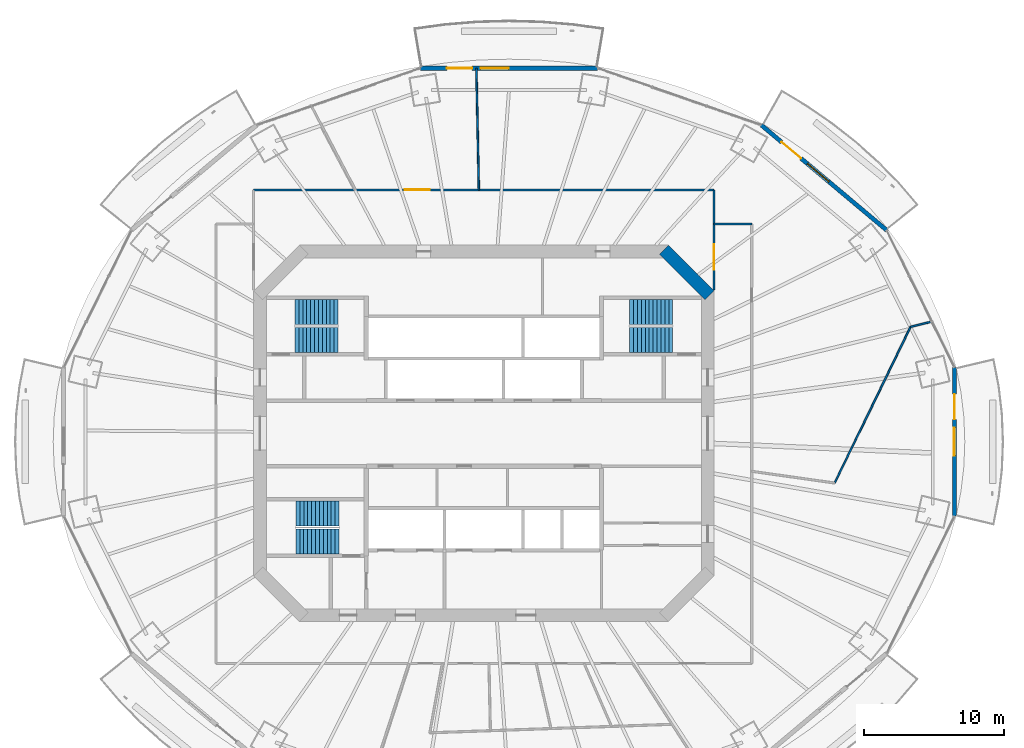
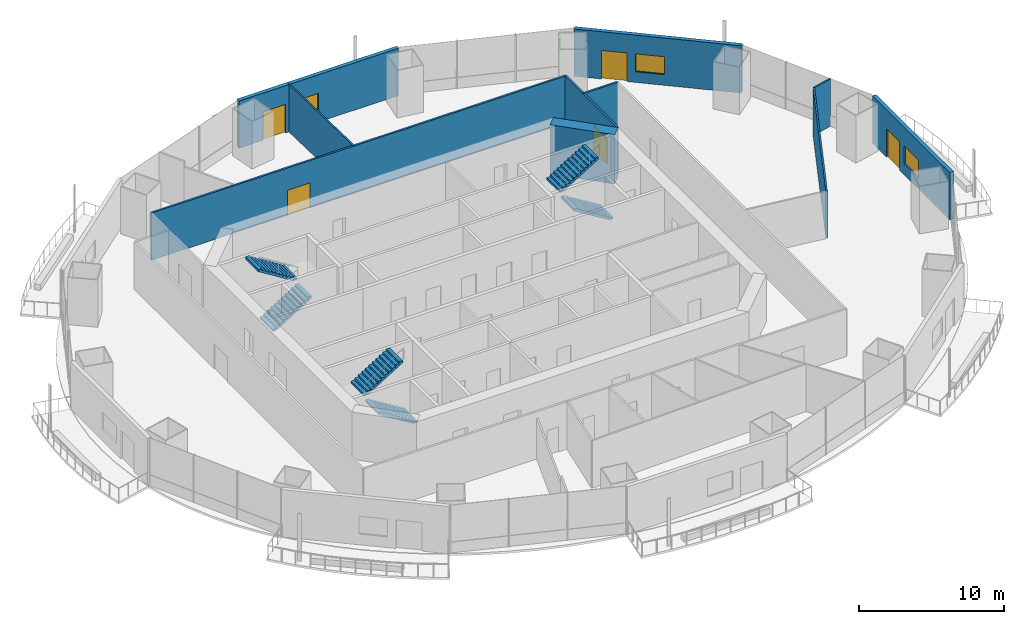
# One storey, part 14 of 20: 10 walls, 6 stair flights, 5 doors, 3 windows, 8 openings, 3 elements without a shape of their own.
"""IFC4 building model written with IfcOpenShell, lengths in metres."""

from ifc_helpers import new_model, si_unit, direction, frame, frame_2d, origin, place, context, subcontext, project, spatial, polyline, rectangle, outline, extrude, material, layer, layer_set, type_object, element, fill, aggregate, save


model = new_model("IFC4")

# Units and contexts
model_context = context("Model", 3, precision=1e-05, world=origin(), true_north=direction((0.0, 1.0)))
body_context = subcontext(model_context, "Body", "Model", "MODEL_VIEW")
ifc_project = project(units=[si_unit("LENGTHUNIT", "METRE"), si_unit("AREAUNIT", "SQUARE_METRE"), si_unit("VOLUMEUNIT", "CUBIC_METRE"), si_unit("PLANEANGLEUNIT", "RADIAN"), si_unit("MASSUNIT", "GRAM", prefix="KILO")], contexts=[model_context])

# Site, building, storey
site_placement = place(None, origin())
site = spatial("IfcSite", under=ifc_project, at=site_placement, CompositionType="ELEMENT")
building_placement = place(site_placement, origin())
building = spatial("IfcBuilding", under=site, at=building_placement, Name="Marenthal Gate Tower", CompositionType="ELEMENT")
storey_placement = place(building_placement, frame((0.0, 0.0, 181.800048828125)))
storey = spatial("IfcBuildingStorey", under=building, at=storey_placement, Name="L39", CompositionType="ELEMENT", Elevation=181.800048828125)

# Walls
ifc_material_1 = material(Name="Concrete 60 MPa", Category="concrete")
ifc_layer_1 = layer(ifc_material_1, 0.89990234375)
ifc_layer_set_1 = layer_set([ifc_layer_1], Name="Core shear wall 900")
wall_type_1 = type_object("IfcWallType", Name="Core shear wall 900", PredefinedType="SHEAR", material=ifc_layer_set_1)
wall_1_placement = place(storey_placement, frame((16.1318359375, 9.8681640625, -0.179931640625), z_axis=(0.0, 0.0, 1.0), x_axis=(-0.707106781187, 0.707106781187, 0.0)))
element("IfcWall", 1, at=wall_1_placement, inside=storey, type_object=wall_type_1, Name="Core wall 03", PredefinedType="SHEAR", context=body_context, shape_type="SweptSolid", body=[
    extrude(rectangle(XDim=4.615478515625, YDim=0.89990234375, at=frame_2d((2.3076171875, 0.0))), origin(), (0.0, 0.0, 1.0), 4.14990234375),
])
ifc_material_2 = material(Name="Gypsum board on steel studs", Category="steel")
ifc_layer_2 = layer(ifc_material_2, 0.1201171875)
ifc_layer_set_2 = layer_set([ifc_layer_2], Name="Partition 120")
wall_type_2 = type_object("IfcWallType", Name="Partition 120", PredefinedType="PARTITIONING", material=ifc_layer_set_2)
wall_2_placement = place(storey_placement, frame((-0.354736328125, 17.408935546875, 0.0), z_axis=(0.0, 0.0, 1.0), x_axis=(-0.020383295859, 0.999792239043, 0.0)))
element("IfcWall", 2, at=wall_2_placement, inside=storey, type_object=wall_type_2, Name="Partition wall 58", PredefinedType="PARTITIONING", context=body_context, shape_type="SweptSolid", body=[
    extrude(rectangle(XDim=8.695556640625, YDim=0.1201171875, at=frame_2d((4.34765625, 0.0))), origin(), (0.0, 0.0, 1.0), 3.969970703125),
])
wall_3_placement = place(storey_placement, frame((25.072998046875, -3.546630859375, 0.0), z_axis=(0.0, 0.0, 1.0), x_axis=(0.437335020704, 0.899298659882, 0.0)))
element("IfcWall", 3, at=wall_3_placement, inside=storey, type_object=wall_type_2, Name="Partition wall 67", PredefinedType="PARTITIONING", context=body_context, shape_type="SweptSolid", body=[
    extrude(rectangle(XDim=12.410888671875, YDim=0.1201171875, at=frame_2d((6.20556640625, 0.0))), origin(), (0.0, 0.0, 1.0), 3.969970703125),
])
wall_4_placement = place(storey_placement, frame((30.500732421875, 7.614501953125, 0.0), z_axis=(0.0, 0.0, 1.0), x_axis=(0.970252935934, 0.242093453672, 0.0)))
element("IfcWall", 4, at=wall_4_placement, inside=storey, type_object=wall_type_2, Name="Partition wall 69", PredefinedType="PARTITIONING", context=body_context, shape_type="SweptSolid", body=[
    extrude(rectangle(XDim=1.55908203125, YDim=0.1201171875, at=frame_2d((0.779541015625, 0.0))), origin(), (0.0, 0.0, 1.0), 3.969970703125),
])

# Wall, opening, door
ifc_material_3 = material(Name="Gypsum board on steel studs", Category="steel")
ifc_layer_3 = layer(ifc_material_3, 0.14990234375)
ifc_layer_set_3 = layer_set([ifc_layer_3], Name="Partition 150")
wall_type_3 = type_object("IfcWallType", Name="Partition 150", PredefinedType="PARTITIONING", material=ifc_layer_set_3)
wall_5_placement = place(storey_placement, frame((-16.449951171875, 17.408935546875, 0.0), z_axis=(0.0, 0.0, 1.0), x_axis=(1.0, 0.0, 0.0)))
wall_5 = element("IfcWall", 5, at=wall_5_placement, inside=storey, type_object=wall_type_3, Name="Partition wall 53", PredefinedType="PARTITIONING", context=body_context, shape_type="SweptSolid", body=[
    extrude(rectangle(XDim=32.89990234375, YDim=0.14990234375, at=frame_2d((16.449951171875, 0.0))), origin(), (0.0, 0.0, 1.0), 3.969970703125),
])
opening_1_placement = place(wall_5_placement, frame((10.7880859375, 0.0, 0.0)))
opening_1 = element("IfcOpeningElement", 6, at=opening_1_placement, cuts=wall_5, Name="Opening D014.01", PredefinedType="OPENING", context=body_context, shape_type="SweptSolid", body=[
    extrude(rectangle(XDim=1.800048828125, YDim=2.10009765625, at=frame_2d((0.89990234375, 1.050048828125))), frame((0.0, 0.0849609375, 0.0), z_axis=(0.0, -1.0, 0.0), x_axis=(1.0, 0.0, 0.0)), (0.0, 0.0, 1.0), 0.169921875),
])
ifc_material_4 = material(Name="Timber door", Category="wood")
door_type_1 = type_object("IfcDoorType", Name="Double door 1800 x 2100", OperationType="DOUBLE_DOOR_SINGLE_SWING", PredefinedType="DOOR", material=ifc_material_4)
door_1_placement = place(opening_1_placement, origin())
door_1 = element("IfcDoor", 7, at=door_1_placement, inside=storey, type_object=door_type_1, Name="Door D014.01", OperationType="DOUBLE_DOOR_SINGLE_SWING", OverallHeight=2.10009765625, OverallWidth=1.800048828125, PredefinedType="DOOR", context=body_context, shape_type="SweptSolid", body=[
    extrude(rectangle(XDim=1.800048828125, YDim=2.10009765625, at=frame_2d((0.89990234375, 1.050048828125))), frame((0.0, 0.02490234375, 0.0), z_axis=(0.0, -1.0, 0.0), x_axis=(1.0, 0.0, 0.0)), (0.0, 0.0, 1.0), 0.050048828125),
])
fill(opening_1, door_1)

wall_6_placement = place(storey_placement, frame((16.449951171875, 10.25, 0.0), z_axis=(0.0, 0.0, 1.0), x_axis=(0.0, 1.0, 0.0)))
wall_6 = element("IfcWall", 8, at=wall_6_placement, inside=storey, type_object=wall_type_3, Name="Partition wall 63", PredefinedType="PARTITIONING", context=body_context, shape_type="SweptSolid", body=[
    extrude(rectangle(XDim=7.158935546875, YDim=0.14990234375, at=frame_2d((3.57958984375, 0.0))), origin(), (0.0, 0.0, 1.0), 3.969970703125),
])
opening_2_placement = place(wall_6_placement, frame((1.451904296875, 0.0, 0.0)))
opening_2 = element("IfcOpeningElement", 9, at=opening_2_placement, cuts=wall_6, Name="Opening D014.05", PredefinedType="OPENING", context=body_context, shape_type="SweptSolid", body=[
    extrude(rectangle(XDim=1.800048828125, YDim=2.10009765625, at=frame_2d((0.89990234375, 1.050048828125))), frame((0.0, 0.0849609375, 0.0), z_axis=(0.0, -1.0, 0.0), x_axis=(1.0, 0.0, 0.0)), (0.0, 0.0, 1.0), 0.169921875),
])
door_2_placement = place(opening_2_placement, origin())
door_2 = element("IfcDoor", 10, at=door_2_placement, inside=storey, type_object=door_type_1, Name="Door D014.05", OperationType="DOUBLE_DOOR_SINGLE_SWING", OverallHeight=2.10009765625, OverallWidth=1.800048828125, PredefinedType="DOOR", context=body_context, shape_type="SweptSolid", body=[
    extrude(rectangle(XDim=1.800048828125, YDim=2.10009765625, at=frame_2d((0.89990234375, 1.050048828125))), frame((0.0, 0.02490234375, 0.0), z_axis=(0.0, -1.0, 0.0), x_axis=(1.0, 0.0, 0.0)), (0.0, 0.0, 1.0), 0.050048828125),
])
fill(opening_2, door_2)

# Wall
wall_7_placement = place(storey_placement, frame((16.449951171875, 14.954833984375, 0.0), z_axis=(0.0, 0.0, 1.0), x_axis=(1.0, 0.0, 0.0)))
element("IfcWall", 11, at=wall_7_placement, inside=storey, type_object=wall_type_3, Name="Partition wall 64", PredefinedType="PARTITIONING", context=body_context, shape_type="SweptSolid", body=[
    extrude(rectangle(XDim=2.699951171875, YDim=0.14990234375, at=frame_2d((1.35009765625, 0.0))), origin(), (0.0, 0.0, 1.0), 3.969970703125),
])

# Wall, openings, door, window
ifc_material_5 = material(Name="Terracotta cladding on insulated concrete-block backing", Category="masonry")
ifc_layer_4 = layer(ifc_material_5, 0.300048828125)
ifc_layer_set_4 = layer_set([ifc_layer_4], Name="Terracotta facade wall 300")
wall_type_4 = type_object("IfcWallType", Name="Terracotta facade wall 300", PredefinedType="SOLIDWALL", material=ifc_layer_set_4)
wall_8_placement = place(storey_placement, frame((28.787109375, 14.52587890625, 0.0), z_axis=(0.0, 0.0, 1.0), x_axis=(-0.766149077679, 0.642662890458, 0.0)))
wall_8 = element("IfcWall", 12, at=wall_8_placement, inside=storey, type_object=wall_type_4, Name="Terracotta facade wall L39 bay 2", PredefinedType="SOLIDWALL", context=body_context, shape_type="SweptSolid", body=[
    extrude(rectangle(XDim=11.6884765625, YDim=0.300048828125, at=frame_2d((5.84423828125, 0.0))), origin(), (0.0, 0.0, 1.0), 3.969970703125),
])
opening_3_placement = place(wall_8_placement, frame((7.98828125, 0.0, 0.0)))
opening_3 = element("IfcOpeningElement", 13, at=opening_3_placement, cuts=wall_8, Name="Opening BD-L39-02", PredefinedType="OPENING", context=body_context, shape_type="SweptSolid", body=[
    extrude(rectangle(XDim=1.800048828125, YDim=2.39990234375, at=frame_2d((0.89990234375, 1.199951171875))), frame((0.0, 0.16015625, 0.0), z_axis=(0.0, -1.0, 0.0), x_axis=(1.0, 0.0, 0.0)), (0.0, 0.0, 1.0), 0.320068359375),
])
opening_4_placement = place(wall_8_placement, frame((5.38818359375, 0.0, 0.89990234375)))
opening_4 = element("IfcOpeningElement", 14, at=opening_4_placement, cuts=wall_8, Name="Opening WN2-L39-02", PredefinedType="OPENING", context=body_context, shape_type="SweptSolid", body=[
    extrude(rectangle(XDim=2.0, YDim=1.5, at=frame_2d((1.0, 0.75))), frame((0.0, 0.16015625, 0.0), z_axis=(0.0, -1.0, 0.0), x_axis=(1.0, 0.0, 0.0)), (0.0, 0.0, 1.0), 0.320068359375),
])
ifc_material_6 = material(Name="Aluminium and glass", Category="aluminium")
door_type_2 = type_object("IfcDoorType", Name="Balcony door 1800x2400", OperationType="DOUBLE_DOOR_SINGLE_SWING", PredefinedType="DOOR", material=ifc_material_6)
door_3_placement = place(opening_3_placement, origin())
door_3 = element("IfcDoor", 15, at=door_3_placement, inside=storey, type_object=door_type_2, Name="Balcony door L39 bay 2", OperationType="SINGLE_SWING_LEFT", OverallHeight=2.39990234375, OverallWidth=1.800048828125, PredefinedType="DOOR", context=body_context, shape_type="SweptSolid", body=[
    extrude(rectangle(XDim=1.800048828125, YDim=2.39990234375, at=frame_2d((0.89990234375, 1.199951171875))), frame((0.0, 0.02490234375, 0.0), z_axis=(0.0, -1.0, 0.0), x_axis=(1.0, 0.0, 0.0)), (0.0, 0.0, 1.0), 0.050048828125),
])
fill(opening_3, door_3)
ifc_material_7 = material(Name="Aluminium and glass", Category="aluminium")
window_type = type_object("IfcWindowType", Name="Window 2000x1500", PartitioningType="DOUBLE_PANEL_VERTICAL", PredefinedType="WINDOW", material=ifc_material_7)
window_1_placement = place(opening_4_placement, origin())
window_1 = element("IfcWindow", 16, at=window_1_placement, inside=storey, type_object=window_type, Name="Window L39 bay 2", OverallHeight=1.5, OverallWidth=2.0, PartitioningType="SINGLE_PANEL", PredefinedType="WINDOW", context=body_context, shape_type="SweptSolid", body=[
    extrude(rectangle(XDim=2.0, YDim=1.5, at=frame_2d((1.0, 0.75))), frame((0.0, 0.030029296875, 0.0), z_axis=(0.0, -1.0, 0.0), x_axis=(1.0, 0.0, 0.0)), (0.0, 0.0, 1.0), 0.06005859375),
])
fill(opening_4, window_1)

wall_9_placement = place(storey_placement, frame((8.132080078125, 26.102783203125, 0.0), z_axis=(0.0, 0.0, 1.0), x_axis=(-1.0, 0.0, 0.0)))
wall_9 = element("IfcWall", 17, at=wall_9_placement, inside=storey, type_object=wall_type_4, Name="Terracotta facade wall L39 bay 4", PredefinedType="SOLIDWALL", context=body_context, shape_type="SweptSolid", body=[
    extrude(rectangle(XDim=12.6640625, YDim=0.300048828125, at=frame_2d((6.33203125, 0.0))), origin(), (0.0, 0.0, 1.0), 3.969970703125),
])
opening_5_placement = place(wall_9_placement, frame((8.964111328125, 0.0, 0.0)))
opening_5 = element("IfcOpeningElement", 18, at=opening_5_placement, cuts=wall_9, Name="Opening BD-L39-04", PredefinedType="OPENING", context=body_context, shape_type="SweptSolid", body=[
    extrude(rectangle(XDim=1.800048828125, YDim=2.39990234375, at=frame_2d((0.89990234375, 1.199951171875))), frame((0.0, 0.16015625, 0.0), z_axis=(0.0, -1.0, 0.0), x_axis=(1.0, 0.0, 0.0)), (0.0, 0.0, 1.0), 0.320068359375),
])
opening_6_placement = place(wall_9_placement, frame((6.364013671875, 0.0, 0.89990234375)))
opening_6 = element("IfcOpeningElement", 19, at=opening_6_placement, cuts=wall_9, Name="Opening WN2-L39-04", PredefinedType="OPENING", context=body_context, shape_type="SweptSolid", body=[
    extrude(rectangle(XDim=2.0, YDim=1.5, at=frame_2d((1.0, 0.75))), frame((0.0, 0.16015625, 0.0), z_axis=(0.0, -1.0, 0.0), x_axis=(1.0, 0.0, 0.0)), (0.0, 0.0, 1.0), 0.320068359375),
])
door_4_placement = place(opening_5_placement, origin())
door_4 = element("IfcDoor", 20, at=door_4_placement, inside=storey, type_object=door_type_2, Name="Balcony door L39 bay 4", OperationType="SINGLE_SWING_LEFT", OverallHeight=2.39990234375, OverallWidth=1.800048828125, PredefinedType="DOOR", context=body_context, shape_type="SweptSolid", body=[
    extrude(rectangle(XDim=1.800048828125, YDim=2.39990234375, at=frame_2d((0.89990234375, 1.199951171875))), frame((0.0, 0.02490234375, 0.0), z_axis=(0.0, -1.0, 0.0), x_axis=(1.0, 0.0, 0.0)), (0.0, 0.0, 1.0), 0.050048828125),
])
fill(opening_5, door_4)
window_2_placement = place(opening_6_placement, origin())
window_2 = element("IfcWindow", 21, at=window_2_placement, inside=storey, type_object=window_type, Name="Window L39 bay 4", OverallHeight=1.5, OverallWidth=2.0, PartitioningType="SINGLE_PANEL", PredefinedType="WINDOW", context=body_context, shape_type="SweptSolid", body=[
    extrude(rectangle(XDim=2.0, YDim=1.5, at=frame_2d((1.0, 0.75))), frame((0.0, 0.030029296875, 0.0), z_axis=(0.0, -1.0, 0.0), x_axis=(1.0, 0.0, 0.0)), (0.0, 0.0, 1.0), 0.06005859375),
])
fill(opening_6, window_2)

wall_10_placement = place(storey_placement, frame((33.63330078125, -5.91162109375, 0.0), z_axis=(0.0, 0.0, 1.0), x_axis=(0.0, 1.0, 0.0)))
wall_10 = element("IfcWall", 22, at=wall_10_placement, inside=storey, type_object=wall_type_4, Name="Terracotta facade wall L39 bay 16", PredefinedType="SOLIDWALL", context=body_context, shape_type="SweptSolid", body=[
    extrude(rectangle(XDim=10.623046875, YDim=0.300048828125, at=frame_2d((5.3115234375, 0.0))), origin(), (0.0, 0.0, 1.0), 3.969970703125),
])
opening_7_placement = place(wall_10_placement, frame((6.923095703125, 0.0, 0.0)))
opening_7 = element("IfcOpeningElement", 23, at=opening_7_placement, cuts=wall_10, Name="Opening BD-L39-16", PredefinedType="OPENING", context=body_context, shape_type="SweptSolid", body=[
    extrude(rectangle(XDim=1.800048828125, YDim=2.39990234375, at=frame_2d((0.89990234375, 1.199951171875))), frame((0.0, 0.16015625, 0.0), z_axis=(0.0, -1.0, 0.0), x_axis=(1.0, 0.0, 0.0)), (0.0, 0.0, 1.0), 0.320068359375),
])
opening_8_placement = place(wall_10_placement, frame((4.322998046875, 0.0, 0.89990234375)))
opening_8 = element("IfcOpeningElement", 24, at=opening_8_placement, cuts=wall_10, Name="Opening WN2-L39-16", PredefinedType="OPENING", context=body_context, shape_type="SweptSolid", body=[
    extrude(rectangle(XDim=2.0, YDim=1.5, at=frame_2d((1.0, 0.75))), frame((0.0, 0.16015625, 0.0), z_axis=(0.0, -1.0, 0.0), x_axis=(1.0, 0.0, 0.0)), (0.0, 0.0, 1.0), 0.320068359375),
])
door_5_placement = place(opening_7_placement, origin())
door_5 = element("IfcDoor", 25, at=door_5_placement, inside=storey, type_object=door_type_2, Name="Balcony door L39 bay 16", OperationType="SINGLE_SWING_LEFT", OverallHeight=2.39990234375, OverallWidth=1.800048828125, PredefinedType="DOOR", context=body_context, shape_type="SweptSolid", body=[
    extrude(rectangle(XDim=1.800048828125, YDim=2.39990234375, at=frame_2d((0.89990234375, 1.199951171875))), frame((0.0, 0.02490234375, 0.0), z_axis=(0.0, -1.0, 0.0), x_axis=(1.0, 0.0, 0.0)), (0.0, 0.0, 1.0), 0.050048828125),
])
fill(opening_7, door_5)
window_3_placement = place(opening_8_placement, origin())
window_3 = element("IfcWindow", 26, at=window_3_placement, inside=storey, type_object=window_type, Name="Window L39 bay 16", OverallHeight=1.5, OverallWidth=2.0, PartitioningType="SINGLE_PANEL", PredefinedType="WINDOW", context=body_context, shape_type="SweptSolid", body=[
    extrude(rectangle(XDim=2.0, YDim=1.5, at=frame_2d((1.0, 0.75))), frame((0.0, 0.030029296875, 0.0), z_axis=(0.0, -1.0, 0.0), x_axis=(1.0, 0.0, 0.0)), (0.0, 0.0, 1.0), 0.06005859375),
])
fill(opening_8, window_3)

# Stair, stair flights
ifc_material_8 = material(Name="Concrete 40 MPa", Category="concrete")
stair_type = type_object("IfcStairType", Name="Exit stair 1800", PredefinedType="HALF_TURN_STAIR", material=ifc_material_8)
stair_1_placement = place(storey_placement, origin())
stair_1 = element("IfcStair", 27, at=stair_1_placement, inside=storey, type_object=stair_type, Name="Stair ST1", PredefinedType="HALF_TURN_STAIR")
ifc_material_9 = material(Name="Concrete 40 MPa", Category="concrete")
stair_flight_type = type_object("IfcStairFlightType", Name="Stair flight 1800", PredefinedType="STRAIGHT", material=ifc_material_9)
stair_flight_1_placement = place(storey_placement, frame((-13.5, 6.675048828125, 0.0), z_axis=(0.0, 0.0, 1.0), x_axis=(1.0, 0.0, 0.0)))
stair_flight_1 = element("IfcStairFlight", 28, at=stair_flight_1_placement, type_object=stair_flight_type, Name="ST1 flight 1", NumberOfRisers=12, NumberOfTreads=11, PredefinedType="STRAIGHT", RiserHeight=0.172916667, TreadLength=0.28, context=body_context, shape_type="SweptSolid", body=[
    extrude(outline(polyline([(0.0, 0.0), (0.0, 0.1728515625), (0.280029296875, 0.1728515625), (0.280029296875, 0.345947265625), (0.56005859375, 0.345947265625), (0.56005859375, 0.518798828125), (0.840087890625, 0.518798828125), (0.840087890625, 0.691650390625), (1.1201171875, 0.691650390625), (1.1201171875, 0.864501953125), (1.39990234375, 0.864501953125), (1.39990234375, 1.03759765625), (1.679931640625, 1.03759765625), (1.679931640625, 1.21044921875), (1.9599609375, 1.21044921875), (1.9599609375, 1.38330078125), (2.239990234375, 1.38330078125), (2.239990234375, 1.55615234375), (2.52001953125, 1.55615234375), (2.52001953125, 1.729248046875), (2.800048828125, 1.729248046875), (2.800048828125, 1.902099609375), (3.080078125, 1.902099609375), (3.080078125, 2.074951171875), (3.080078125, 1.725830078125), (0.285400390625, 0.0), (0.0, 0.0)])), frame((0.0, 0.89990234375, 0.0), z_axis=(0.0, -1.0, 0.0), x_axis=(1.0, 0.0, 0.0)), (0.0, 0.0, 1.0), 1.800048828125),
])
stair_flight_2_placement = place(storey_placement, frame((-10.419921875, 8.675048828125, 2.074951171875), z_axis=(0.0, 0.0, 1.0), x_axis=(-1.0, 0.0, 0.0)))
stair_flight_2 = element("IfcStairFlight", 29, at=stair_flight_2_placement, type_object=stair_flight_type, Name="ST1 flight 2", NumberOfRisers=12, NumberOfTreads=11, PredefinedType="STRAIGHT", RiserHeight=0.172916667, TreadLength=0.28, context=body_context, shape_type="SweptSolid", body=[
    extrude(outline(polyline([(0.0, 0.0), (0.0, 0.1728515625), (0.280029296875, 0.1728515625), (0.280029296875, 0.345947265625), (0.56005859375, 0.345947265625), (0.56005859375, 0.518798828125), (0.840087890625, 0.518798828125), (0.840087890625, 0.691650390625), (1.1201171875, 0.691650390625), (1.1201171875, 0.864501953125), (1.39990234375, 0.864501953125), (1.39990234375, 1.03759765625), (1.679931640625, 1.03759765625), (1.679931640625, 1.21044921875), (1.9599609375, 1.21044921875), (1.9599609375, 1.38330078125), (2.239990234375, 1.38330078125), (2.239990234375, 1.55615234375), (2.52001953125, 1.55615234375), (2.52001953125, 1.729248046875), (2.800048828125, 1.729248046875), (2.800048828125, 1.902099609375), (3.080078125, 1.902099609375), (3.080078125, 2.074951171875), (3.080078125, 1.725830078125), (0.285400390625, 0.0), (0.0, 0.0)])), frame((0.0, 0.89990234375, 0.0), z_axis=(0.0, -1.0, 0.0), x_axis=(1.0, 0.0, 0.0)), (0.0, 0.0, 1.0), 1.800048828125),
])
aggregate(stair_1, [stair_flight_1, stair_flight_2])

stair_2_placement = place(storey_placement, origin())
stair_2 = element("IfcStair", 30, at=stair_2_placement, inside=storey, type_object=stair_type, Name="Stair ST2", PredefinedType="HALF_TURN_STAIR")
stair_flight_3_placement = place(storey_placement, frame((-10.35009765625, -7.72509765625, 0.0), z_axis=(0.0, 0.0, 1.0), x_axis=(-1.0, 0.0, 0.0)))
stair_flight_3 = element("IfcStairFlight", 31, at=stair_flight_3_placement, type_object=stair_flight_type, Name="ST2 flight 1", NumberOfRisers=12, NumberOfTreads=11, PredefinedType="STRAIGHT", RiserHeight=0.172916667, TreadLength=0.28, context=body_context, shape_type="SweptSolid", body=[
    extrude(outline(polyline([(0.0, 0.0), (0.0, 0.1728515625), (0.280029296875, 0.1728515625), (0.280029296875, 0.345947265625), (0.56005859375, 0.345947265625), (0.56005859375, 0.518798828125), (0.840087890625, 0.518798828125), (0.840087890625, 0.691650390625), (1.1201171875, 0.691650390625), (1.1201171875, 0.864501953125), (1.39990234375, 0.864501953125), (1.39990234375, 1.03759765625), (1.679931640625, 1.03759765625), (1.679931640625, 1.21044921875), (1.9599609375, 1.21044921875), (1.9599609375, 1.38330078125), (2.239990234375, 1.38330078125), (2.239990234375, 1.55615234375), (2.52001953125, 1.55615234375), (2.52001953125, 1.729248046875), (2.800048828125, 1.729248046875), (2.800048828125, 1.902099609375), (3.080078125, 1.902099609375), (3.080078125, 2.074951171875), (3.080078125, 1.725830078125), (0.285400390625, 0.0), (0.0, 0.0)])), frame((0.0, 0.89990234375, 0.0), z_axis=(0.0, -1.0, 0.0), x_axis=(1.0, 0.0, 0.0)), (0.0, 0.0, 1.0), 1.800048828125),
])
stair_flight_4_placement = place(storey_placement, frame((-13.429931640625, -5.72509765625, 2.074951171875), z_axis=(0.0, 0.0, 1.0), x_axis=(1.0, 0.0, 0.0)))
stair_flight_4 = element("IfcStairFlight", 32, at=stair_flight_4_placement, type_object=stair_flight_type, Name="ST2 flight 2", NumberOfRisers=12, NumberOfTreads=11, PredefinedType="STRAIGHT", RiserHeight=0.172916667, TreadLength=0.28, context=body_context, shape_type="SweptSolid", body=[
    extrude(outline(polyline([(0.0, 0.0), (0.0, 0.1728515625), (0.280029296875, 0.1728515625), (0.280029296875, 0.345947265625), (0.56005859375, 0.345947265625), (0.56005859375, 0.518798828125), (0.840087890625, 0.518798828125), (0.840087890625, 0.691650390625), (1.1201171875, 0.691650390625), (1.1201171875, 0.864501953125), (1.39990234375, 0.864501953125), (1.39990234375, 1.03759765625), (1.679931640625, 1.03759765625), (1.679931640625, 1.21044921875), (1.9599609375, 1.21044921875), (1.9599609375, 1.38330078125), (2.239990234375, 1.38330078125), (2.239990234375, 1.55615234375), (2.52001953125, 1.55615234375), (2.52001953125, 1.729248046875), (2.800048828125, 1.729248046875), (2.800048828125, 1.902099609375), (3.080078125, 1.902099609375), (3.080078125, 2.074951171875), (3.080078125, 1.725830078125), (0.285400390625, 0.0), (0.0, 0.0)])), frame((0.0, 0.89990234375, 0.0), z_axis=(0.0, -1.0, 0.0), x_axis=(1.0, 0.0, 0.0)), (0.0, 0.0, 1.0), 1.800048828125),
])
aggregate(stair_2, [stair_flight_3, stair_flight_4])

stair_3_placement = place(storey_placement, origin())
stair_3 = element("IfcStair", 33, at=stair_3_placement, inside=storey, type_object=stair_type, Name="Stair ST3", PredefinedType="HALF_TURN_STAIR")
stair_flight_5_placement = place(storey_placement, frame((13.5, 6.675048828125, 0.0), z_axis=(0.0, 0.0, 1.0), x_axis=(-1.0, 0.0, 0.0)))
stair_flight_5 = element("IfcStairFlight", 34, at=stair_flight_5_placement, type_object=stair_flight_type, Name="ST3 flight 1", NumberOfRisers=12, NumberOfTreads=11, PredefinedType="STRAIGHT", RiserHeight=0.172916667, TreadLength=0.28, context=body_context, shape_type="SweptSolid", body=[
    extrude(outline(polyline([(0.0, 0.0), (0.0, 0.1728515625), (0.280029296875, 0.1728515625), (0.280029296875, 0.345947265625), (0.56005859375, 0.345947265625), (0.56005859375, 0.518798828125), (0.840087890625, 0.518798828125), (0.840087890625, 0.691650390625), (1.1201171875, 0.691650390625), (1.1201171875, 0.864501953125), (1.39990234375, 0.864501953125), (1.39990234375, 1.03759765625), (1.679931640625, 1.03759765625), (1.679931640625, 1.21044921875), (1.9599609375, 1.21044921875), (1.9599609375, 1.38330078125), (2.239990234375, 1.38330078125), (2.239990234375, 1.55615234375), (2.52001953125, 1.55615234375), (2.52001953125, 1.729248046875), (2.800048828125, 1.729248046875), (2.800048828125, 1.902099609375), (3.080078125, 1.902099609375), (3.080078125, 2.074951171875), (3.080078125, 1.725830078125), (0.285400390625, 0.0), (0.0, 0.0)])), frame((0.0, 0.89990234375, 0.0), z_axis=(0.0, -1.0, 0.0), x_axis=(1.0, 0.0, 0.0)), (0.0, 0.0, 1.0), 1.800048828125),
])
stair_flight_6_placement = place(storey_placement, frame((10.419921875, 8.675048828125, 2.074951171875), z_axis=(0.0, 0.0, 1.0), x_axis=(1.0, 0.0, 0.0)))
stair_flight_6 = element("IfcStairFlight", 35, at=stair_flight_6_placement, type_object=stair_flight_type, Name="ST3 flight 2", NumberOfRisers=12, NumberOfTreads=11, PredefinedType="STRAIGHT", RiserHeight=0.172916667, TreadLength=0.28, context=body_context, shape_type="SweptSolid", body=[
    extrude(outline(polyline([(0.0, 0.0), (0.0, 0.1728515625), (0.280029296875, 0.1728515625), (0.280029296875, 0.345947265625), (0.56005859375, 0.345947265625), (0.56005859375, 0.518798828125), (0.840087890625, 0.518798828125), (0.840087890625, 0.691650390625), (1.1201171875, 0.691650390625), (1.1201171875, 0.864501953125), (1.39990234375, 0.864501953125), (1.39990234375, 1.03759765625), (1.679931640625, 1.03759765625), (1.679931640625, 1.21044921875), (1.9599609375, 1.21044921875), (1.9599609375, 1.38330078125), (2.239990234375, 1.38330078125), (2.239990234375, 1.55615234375), (2.52001953125, 1.55615234375), (2.52001953125, 1.729248046875), (2.800048828125, 1.729248046875), (2.800048828125, 1.902099609375), (3.080078125, 1.902099609375), (3.080078125, 2.074951171875), (3.080078125, 1.725830078125), (0.285400390625, 0.0), (0.0, 0.0)])), frame((0.0, 0.89990234375, 0.0), z_axis=(0.0, -1.0, 0.0), x_axis=(1.0, 0.0, 0.0)), (0.0, 0.0, 1.0), 1.800048828125),
])
aggregate(stair_3, [stair_flight_5, stair_flight_6])

save(model, "model.ifc")
